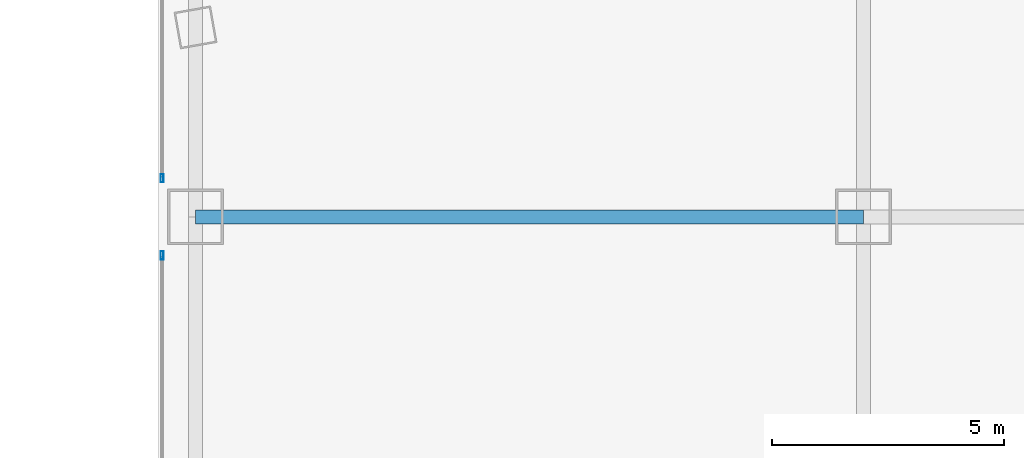
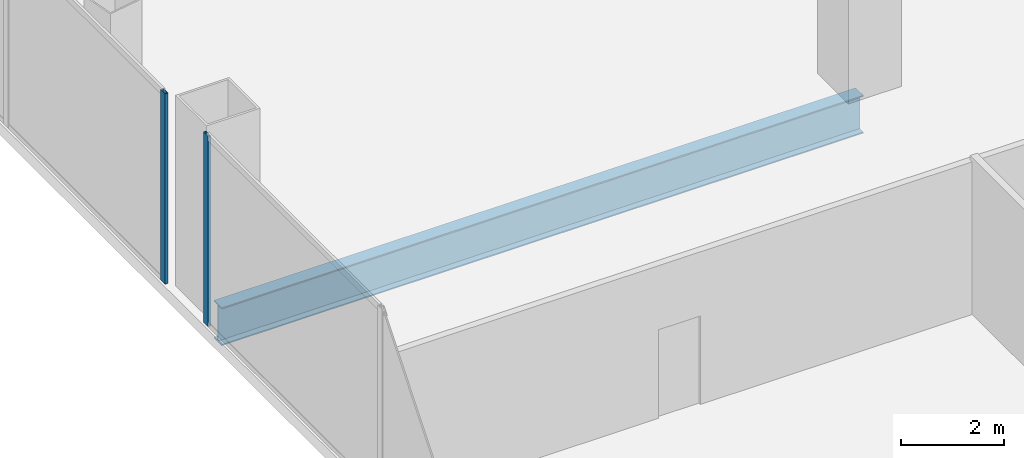
# One storey, part 7 of 58: 2 members, 1 beam, 2 elements without a shape of their own.
"""IFC4 building model written with IfcOpenShell, lengths in metres."""

import ifcopenshell
import ifcopenshell.guid

model = None  # the IFC model being written
_history = None  # IfcOwnerHistory: only IFC2X3 demands one
_inside = {}  # id of a spatial element -> (the spatial element, [elements in it])
_under = {}  # id of a project, library or spatial element -> (it, [spatial elements below it])
_declared = {}  # id of a project -> (the project, [libraries it declares])
_typed = {}  # id of a type object -> (the type object, [elements of that type])
_made_of = {}  # id of a material, layer set ... -> (it, [elements and type objects made of it])


def new_model(schema):
    """Start an empty IFC model of exactly this schema.

    Asked for "IFC4X3", IfcOpenShell would pick the latest addendum, in which some entities
    have other attributes; the version numbers below select the first issue.
    IFC2X3 requires an IfcOwnerHistory on every rooted entity: one is made here for all.
    """
    global model, _history
    if schema == "IFC4X3":
        model = ifcopenshell.file(schema_version=(4, 3, 0, 0))
    else:
        model = ifcopenshell.file(schema=schema)
    _inside.clear()
    _under.clear()
    _declared.clear()
    _typed.clear()
    _made_of.clear()
    _history = None
    if model.schema == "IFC2X3":
        org = make("IfcOrganization", Name="unknown")
        user = make(
            "IfcPersonAndOrganization",
            ThePerson=make("IfcPerson", FamilyName="unknown"),
            TheOrganization=org,
        )
        app = make(
            "IfcApplication",
            ApplicationDeveloper=org,
            Version="unknown",
            ApplicationFullName="unknown",
            ApplicationIdentifier="unknown",
        )
        _history = make(
            "IfcOwnerHistory",
            OwningUser=user,
            OwningApplication=app,
            ChangeAction="ADDED",
            CreationDate=0,
        )
    return model


def make(cls, **values):
    """One entity of the class cls with the attributes given. An attribute that is None is left unset."""
    return model.create_entity(
        cls, **{name: value for name, value in values.items() if value is not None}
    )


def rooted(cls, **values):
    """An entity with a GlobalId (a new one), such as an element, a storey or a relation."""
    return make(cls, GlobalId=ifcopenshell.guid.new(), OwnerHistory=_history, **values)


def si_unit(unit_type, name, prefix=None):
    """IfcSIUnit, for example si_unit("LENGTHUNIT", "METRE", prefix="MILLI")."""
    return make("IfcSIUnit", UnitType=unit_type, Prefix=prefix, Name=name)


def assignment(units):
    """IfcUnitAssignment: the units of a project."""
    return None if units is None else make("IfcUnitAssignment", Units=units)


def point(xyz):
    """IfcCartesianPoint."""
    return None if xyz is None else make("IfcCartesianPoint", Coordinates=xyz)


def direction(xyz):
    """IfcDirection."""
    return None if xyz is None else make("IfcDirection", DirectionRatios=xyz)


def frame(location, z_axis=None, x_axis=None):
    """IfcAxis2Placement3D, a coordinate frame: its origin and axes. An axis left out is left unset."""
    return make(
        "IfcAxis2Placement3D",
        Location=point(location),
        Axis=direction(z_axis),
        RefDirection=direction(x_axis),
    )


def frame_2d(location, x_axis=None):
    """IfcAxis2Placement2D, a coordinate frame in the plane: its origin and x axis."""
    return make(
        "IfcAxis2Placement2D", Location=point(location), RefDirection=direction(x_axis)
    )


def origin():
    """The frame at (0, 0, 0) with its axes left unset."""
    return frame((0.0, 0.0, 0.0))


def origin_2d():
    """The frame at (0, 0) in the plane with its x axis left unset."""
    return frame_2d((0.0, 0.0))


def place(relative_to, where):
    """IfcLocalPlacement: puts the frame where relative to a parent placement (None: the world)."""
    return make(
        "IfcLocalPlacement", PlacementRelTo=relative_to, RelativePlacement=where
    )


def context(
    kind, dimensions, precision=None, world=None, true_north=None, identifier=None
):
    """IfcGeometricRepresentationContext, for example the 3D "Model" context."""
    return make(
        "IfcGeometricRepresentationContext",
        ContextIdentifier=identifier,
        ContextType=kind,
        CoordinateSpaceDimension=dimensions,
        Precision=precision,
        WorldCoordinateSystem=world,
        TrueNorth=true_north,
    )


def subcontext(parent, identifier, kind, view, scale=None):
    """IfcGeometricRepresentationSubContext, for example "Body" below "Model"."""
    return make(
        "IfcGeometricRepresentationSubContext",
        ContextIdentifier=identifier,
        ContextType=kind,
        ParentContext=parent,
        TargetScale=scale,
        TargetView=view,
    )


def project(units=None, contexts=None):
    """IfcProject with its units and contexts."""
    return rooted(
        "IfcProject",
        Name="project",
        RepresentationContexts=contexts,
        UnitsInContext=assignment(units),
    )


def spatial(cls, under=None, at=None, **own):
    """A site, building, storey or space (cls), placed at a placement, below another one or the project."""
    s = rooted(cls, ObjectPlacement=at, **own)
    if under is not None:
        _under.setdefault(under.id(), (under, []))[1].append(s)
    return s


def profile(cls, at=None, kind="AREA", **sizes):
    """A parametric profile (cls). Its sizes go by their IFC names, for example OverallWidth=200.0."""
    return make(cls, ProfileType=kind, Position=at, **sizes)


def hollow_rectangle(**sizes):
    """IfcRectangleHollowProfileDef."""
    return profile("IfcRectangleHollowProfileDef", **sizes)


def i_section(**sizes):
    """IfcIShapeProfileDef."""
    return profile("IfcIShapeProfileDef", **sizes)


def extrude(swept, where, along, depth):
    """IfcExtrudedAreaSolid: the profile swept, set in the frame where, extruded along a direction by depth."""
    return make(
        "IfcExtrudedAreaSolid",
        SweptArea=swept,
        Position=where,
        ExtrudedDirection=direction(along),
        Depth=depth,
    )


def shape(context_of_items, identifier, shape_type, items):
    """IfcShapeRepresentation: the items that make up one representation, for example the "Body"."""
    return make(
        "IfcShapeRepresentation",
        ContextOfItems=context_of_items,
        RepresentationIdentifier=identifier,
        RepresentationType=shape_type,
        Items=items,
    )


def source(mapping_origin, context_of_items, identifier, shape_type, items):
    """IfcRepresentationMap: a shape defined once, which mapped items show again and again."""
    return make(
        "IfcRepresentationMap",
        MappingOrigin=mapping_origin,
        MappedRepresentation=shape(context_of_items, identifier, shape_type, items),
    )


def transform(
    local_origin,
    x_axis=None,
    y_axis=None,
    z_axis=None,
    scale=None,
    scale2=None,
    scale3=None,
    uniform=True,
):
    """IfcCartesianTransformationOperator3D, or its non-uniform kind. x_axis, y_axis, z_axis: its Axis1, 2, 3."""
    if uniform:
        return make(
            "IfcCartesianTransformationOperator3D",
            Axis1=direction(x_axis),
            Axis2=direction(y_axis),
            LocalOrigin=point(local_origin),
            Scale=scale,
            Axis3=direction(z_axis),
        )
    return make(
        "IfcCartesianTransformationOperator3DnonUniform",
        Axis1=direction(x_axis),
        Axis2=direction(y_axis),
        LocalOrigin=point(local_origin),
        Scale=scale,
        Axis3=direction(z_axis),
        Scale2=scale2,
        Scale3=scale3,
    )


def mapped(mapping_source, mapping_target):
    """IfcMappedItem: shows the shape of a source again, moved by a transform."""
    return make(
        "IfcMappedItem", MappingSource=mapping_source, MappingTarget=mapping_target
    )


def material(Name=None, Category=None):
    """IfcMaterial."""
    return make("IfcMaterial", Name=Name, Category=Category)


def layer(
    of_material, thickness, ventilated=None, Name=None, Category=None, Priority=None
):
    """IfcMaterialLayer: one layer of a wall or slab, of a material (None: an air gap)."""
    return make(
        "IfcMaterialLayer",
        Material=of_material,
        LayerThickness=thickness,
        IsVentilated=ventilated,
        Name=Name,
        Category=Category,
        Priority=Priority,
    )


def layer_set(layers, Name=None):
    """IfcMaterialLayerSet."""
    return make("IfcMaterialLayerSet", MaterialLayers=layers, LayerSetName=Name)


def material_profile(
    of_material, cross_section, Name=None, Category=None, Priority=None
):
    """IfcMaterialProfile: a cross section and its material."""
    return make(
        "IfcMaterialProfile",
        Name=Name,
        Material=of_material,
        Profile=cross_section,
        Priority=Priority,
        Category=Category,
    )


def profile_set(profiles, Name=None, composite=None):
    """IfcMaterialProfileSet."""
    return make(
        "IfcMaterialProfileSet",
        Name=Name,
        MaterialProfiles=profiles,
        CompositeProfile=composite,
    )


def made_of(thing, what):
    """Note that an element or type object is made of a material, layer set ...; save() writes the relation."""
    if what is not None:
        _made_of.setdefault(what.id(), (what, []))[1].append(thing)
    return thing


def type_object(cls, material=None, **own):
    """A type object (cls), such as IfcWallType, which elements share."""
    return made_of(rooted(cls, **own), material)


def element(
    cls,
    number,
    at=None,
    inside=None,
    cuts=None,
    type_object=None,
    material=None,
    context=None,
    identifier="Body",
    shape_type=None,
    held_by="IfcProductDefinitionShape",
    body=None,
    shapes=None,
    **own,
):
    """One element of the class cls, such as IfcWall. Its Tag is "e" and its number.

    at: its placement. inside: the storey or other place that contains it. cuts: it is an
    opening in that element (IfcRelVoidsElement). A single representation is given by context,
    identifier, shape_type and body (its items); several are given by shapes. held_by: the class
    of the entity that holds the representations. save() writes the other relations.
    """
    e = rooted(cls, Tag="e%d" % number, ObjectPlacement=at, **own)
    if body is not None:
        shapes = [shape(context, identifier, shape_type, body)]
    if shapes is not None:
        e.Representation = make(held_by, Representations=shapes)
    if inside is not None:
        _inside.setdefault(inside.id(), (inside, []))[1].append(e)
    if cuts is not None:
        rooted(
            "IfcRelVoidsElement", RelatingBuildingElement=cuts, RelatedOpeningElement=e
        )
    if type_object is not None:
        _typed.setdefault(type_object.id(), (type_object, []))[1].append(e)
    return made_of(e, material)


def aggregate(whole, parts):
    """IfcRelAggregates: a whole, such as a stair, and the parts it consists of."""
    return rooted("IfcRelAggregates", RelatingObject=whole, RelatedObjects=parts)


def save(model, path):
    """Write the relations noted so far, then the file.

    IfcRelAggregates (storeys below a building ...), IfcRelContainedInSpatialStructure (elements
    in a storey), IfcRelDefinesByType, IfcRelAssociatesMaterial and IfcRelDeclares: one each for
    every whole, place, type object, material and project.
    """
    for whole, parts in _under.values():
        aggregate(whole, parts)
    for where, things in _inside.values():
        rooted(
            "IfcRelContainedInSpatialStructure",
            RelatedElements=things,
            RelatingStructure=where,
        )
    for kind, things in _typed.values():
        rooted("IfcRelDefinesByType", RelatedObjects=things, RelatingType=kind)
    for what, things in _made_of.values():
        rooted("IfcRelAssociatesMaterial", RelatedObjects=things, RelatingMaterial=what)
    for by, libraries in _declared.values():
        rooted("IfcRelDeclares", RelatingContext=by, RelatedDefinitions=libraries)
    model.write(path)


model = new_model("IFC4")

# Units and contexts
model_context = context("Model", 3, precision=1e-05, world=origin(), true_north=direction((0.0, 1.0)))
body_context = subcontext(model_context, "Body", "Model", "MODEL_VIEW")
ifc_project = project(units=[si_unit("LENGTHUNIT", "METRE"), si_unit("AREAUNIT", "SQUARE_METRE"), si_unit("VOLUMEUNIT", "CUBIC_METRE"), si_unit("PLANEANGLEUNIT", "RADIAN"), si_unit("MASSUNIT", "GRAM", prefix="KILO"), si_unit("THERMODYNAMICTEMPERATUREUNIT", "KELVIN"), si_unit("POWERUNIT", "WATT")], contexts=[model_context])

# Site, building, storey
site_placement = place(None, origin())
site = spatial("IfcSite", under=ifc_project, at=site_placement, CompositionType="ELEMENT")
building_placement = place(site_placement, origin())
building = spatial("IfcBuilding", under=site, at=building_placement, Name="Yunzhuo Pagoda Commons", CompositionType="ELEMENT")
storey_placement = place(building_placement, origin())
storey = spatial("IfcBuildingStorey", under=building, at=storey_placement, Name="L01", CompositionType="ELEMENT", Elevation=0.0)

# Beam
ifc_material_1 = material(Name="Structural steel Q355B", Category="steel")
ifc_material_profile_1 = material_profile(ifc_material_1, i_section(OverallWidth=0.300048828125, OverallDepth=0.89990234375, WebThickness=0.01611328125, FlangeThickness=0.028076171875, at=origin_2d()), Name="Structural steel Q355B")
ifc_profile_set_1 = profile_set([ifc_material_profile_1], Name="Structural steel Q355B")
beam_type = type_object("IfcBeamType", Name="B-PD1 Beam HN 900x300x16x28", PredefinedType="BEAM", material=ifc_profile_set_1)
shared_shape_1 = source(origin(), body_context, "Body", "SweptSolid", [
    extrude(i_section(OverallWidth=0.300048828125, OverallDepth=0.89990234375, WebThickness=0.01611328125, FlangeThickness=0.028076171875, at=origin_2d()), origin(), (0.0, 0.0, 1.0), 14.39990234375),
])
beam_placement = place(storey_placement, frame((4.800048828125, 22.0, -0.729736328125), z_axis=(1.0, 0.0, 0.0), x_axis=(0.0, 1.0, 0.0)))
element("IfcBeam", 1, at=beam_placement, inside=storey, type_object=beam_type, Name="L01 podium girder EW 2.1", PredefinedType="BEAM", context=body_context, shape_type="MappedRepresentation", body=[
    mapped(shared_shape_1, transform((0.0, 0.0, 0.0), scale=1.0)),
])

# Curtain wall, member
ifc_material_2 = material(Name="Anodized aluminium 6063-T6", Category="aluminium")
ifc_layer = layer(ifc_material_2, 0.179931640625)
ifc_layer_set = layer_set([ifc_layer], Name="Anodized aluminium 6063-T6")
curtain_wall_type = type_object("IfcCurtainWallType", Name="CW-POD Waterfront Podium Curtain Wall", PredefinedType="NOTDEFINED", material=ifc_layer_set)
curtain_wall_1_placement = place(storey_placement, origin())
curtain_wall_1 = element("IfcCurtainWall", 2, at=curtain_wall_1_placement, inside=storey, type_object=curtain_wall_type, Name="L01 curtain wall CW-L01-W1", PredefinedType="NOTDEFINED")
ifc_material_profile_2 = material_profile(ifc_material_2, hollow_rectangle(XDim=0.06494140625, YDim=0.179931640625, WallThickness=0.00390625, at=origin_2d()), Name="Anodized aluminium 6063-T6")
ifc_profile_set_2 = profile_set([ifc_material_profile_2], Name="Anodized aluminium 6063-T6")
member_type = type_object("IfcMemberType", Name="CW-POD-M Mullion RHS 180x65x4", PredefinedType="MULLION", material=ifc_profile_set_2)
shared_shape_2 = source(origin(), body_context, "Body", "SweptSolid", [
    extrude(hollow_rectangle(XDim=0.06494140625, YDim=0.179931640625, WallThickness=0.00390625, at=origin_2d()), origin(), (0.0, 0.0, 1.0), 4.520263671875),
])
member_1_placement = place(storey_placement, frame((4.080078125, 21.167724609375, 0.0), z_axis=(0.0, 0.0, 1.0), x_axis=(-1.0, 0.0, 0.0)))
member_1 = element("IfcMember", 3, at=member_1_placement, type_object=member_type, Name="CW mullion 3", PredefinedType="MULLION", context=body_context, shape_type="MappedRepresentation", body=[
    mapped(shared_shape_2, transform((0.0, 0.0, 0.0), scale=1.0)),
])
aggregate(curtain_wall_1, [member_1])

curtain_wall_2_placement = place(storey_placement, origin())
curtain_wall_2 = element("IfcCurtainWall", 4, at=curtain_wall_2_placement, inside=storey, type_object=curtain_wall_type, Name="L01 curtain wall CW-L01-W2", PredefinedType="NOTDEFINED")
member_2_placement = place(storey_placement, frame((4.080078125, 22.832763671875, 0.0), z_axis=(0.0, 0.0, 1.0), x_axis=(-1.0, 0.0, 0.0)))
member_2 = element("IfcMember", 5, at=member_2_placement, type_object=member_type, Name="CW mullion 1", PredefinedType="MULLION", context=body_context, shape_type="MappedRepresentation", body=[
    mapped(shared_shape_2, transform((0.0, 0.0, 0.0), scale=1.0)),
])
aggregate(curtain_wall_2, [member_2])

save(model, "model.ifc")
